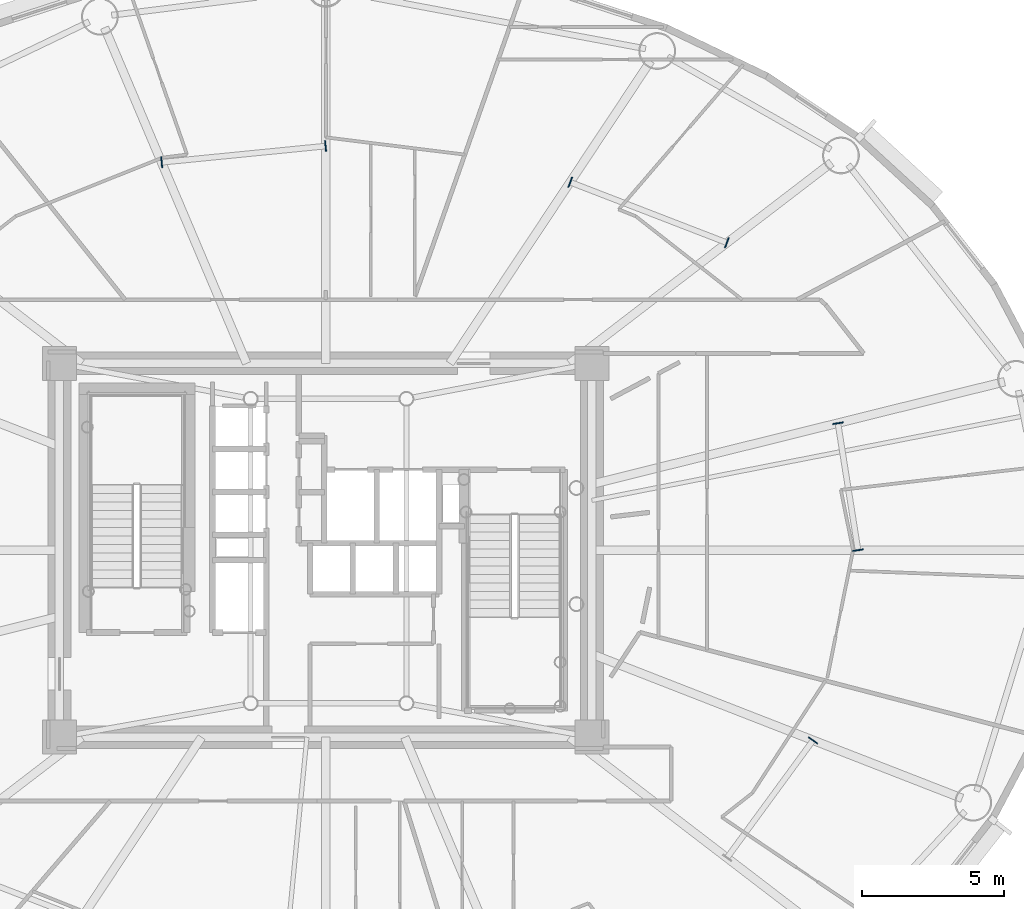
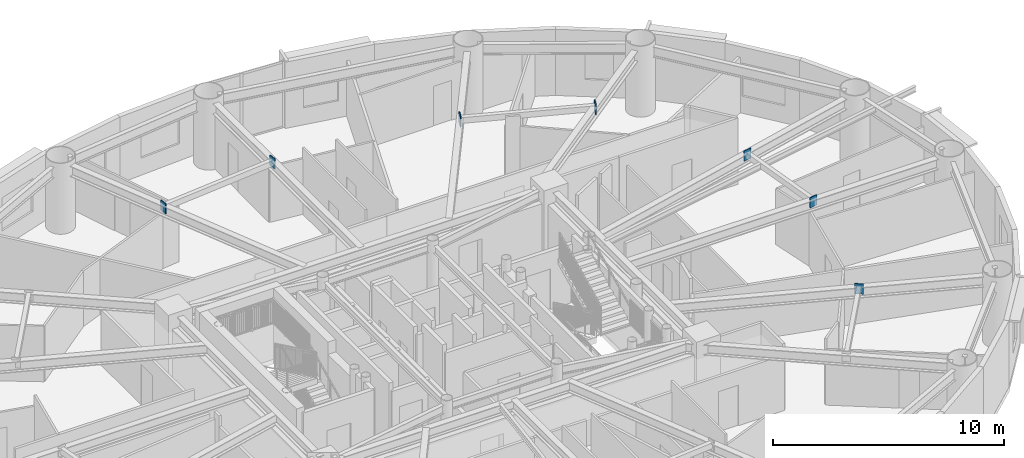
# One storey, part 7 of 19: 7 plates.
"""IFC4 building model written with IfcOpenShell, lengths in metres."""

from ifc_helpers import new_model, si_unit, direction, frame, origin, origin_2d, place, context, subcontext, project, spatial, rectangle, extrude, source, transform, mapped, material, layer, layer_set, type_object, element, save


model = new_model("IFC4")

# Units and contexts
model_context = context("Model", 3, precision=1e-05, world=origin(), true_north=direction((0.0, 1.0)))
body_context = subcontext(model_context, "Body", "Model", "MODEL_VIEW")
ifc_project = project(units=[si_unit("LENGTHUNIT", "METRE"), si_unit("AREAUNIT", "SQUARE_METRE"), si_unit("VOLUMEUNIT", "CUBIC_METRE"), si_unit("PLANEANGLEUNIT", "RADIAN"), si_unit("MASSUNIT", "GRAM", prefix="KILO")], contexts=[model_context])

# Site, building, storey
site_placement = place(None, origin())
site = spatial("IfcSite", under=ifc_project, at=site_placement, CompositionType="ELEMENT")
building_placement = place(site_placement, origin())
building = spatial("IfcBuilding", under=site, at=building_placement, Name="Linh Dai School and Residence Tower", CompositionType="ELEMENT")
storey_placement = place(building_placement, frame((0.0, 0.0, 174.89990234375)))
storey = spatial("IfcBuildingStorey", under=building, at=storey_placement, Name="L42", CompositionType="ELEMENT", Elevation=174.89990234375)

# Plates
ifc_material = material(Name="Structural Steel S355JR", Category="steel")
ifc_layer = layer(ifc_material, 0.0400390625)
ifc_layer_set = layer_set([ifc_layer], Name="Structural Steel S355JR")
plate_type = type_object("IfcPlateType", Name="PLT-GP1", PredefinedType="USERDEFINED", material=ifc_layer_set)
shared_shape = source(origin(), body_context, "Body", "SweptSolid", [
    extrude(rectangle(XDim=0.0400390625, YDim=0.3798828125, at=origin_2d()), origin(), (0.0, 0.0, 1.0), 0.5400390625),
])
for number, where, z_axis, x_axis, name in (
    (1, (54.795166015625, 27.0048828125, 3.080078125), (0.0, 0.0, 1.0), (-0.156309354655, 0.987708148011, 0.0), "L42 Secondary Beam End Plate 01A"),
    (2, (54.0859375, 31.486572265625, 3.080078125), (0.0, 0.0, 1.0), (-0.156309354655, 0.987708148011, 0.0), "L42 Secondary Beam End Plate 01B"),
    (3, (50.1640625, 37.860107421875, 3.080078125), (0.0, 0.0, 1.0), (-0.932822787929, 0.36033546359, 0.0), "L42 Secondary Beam End Plate 02A"),
    (4, (44.63427734375, 39.99609375, 3.080078125), (0.0, 0.0, 1.0), (-0.932822787929, 0.36033546359, 0.0), "L42 Secondary Beam End Plate 02B"),
    (5, (35.9951171875, 41.27294921875, 3.080078125), (0.0, 0.0, 1.0), (-0.995144649372, -0.098423202682, 0.0), "L42 Secondary Beam End Plate 03A"),
    (6, (30.20751953125, 40.700439453125, 3.080078125), (0.0, 0.0, 1.0), (-0.995144649372, -0.098423202682, 0.0), "L42 Secondary Beam End Plate 03B"),
    (7, (53.205322265625, 20.28857421875, 3.080078125), (0.0, 0.0, 1.0), (0.590797317165, 0.806820010926, 0.0), "L42 Secondary Beam End Plate 08B"),
):
    element("IfcPlate", number, at=place(storey_placement, frame(where, z_axis=z_axis, x_axis=x_axis)), inside=storey, type_object=plate_type, Name=name, ObjectType="GUSSET PLATE", PredefinedType="USERDEFINED", context=body_context, shape_type="MappedRepresentation", body=[
        mapped(shared_shape, transform((0.0, 0.0, 0.0), x_axis=(1.0, 0.0, 0.0), y_axis=(0.0, 1.0, 0.0), z_axis=(0.0, 0.0, 1.0), scale=1.0)),
    ])

save(model, "model.ifc")
